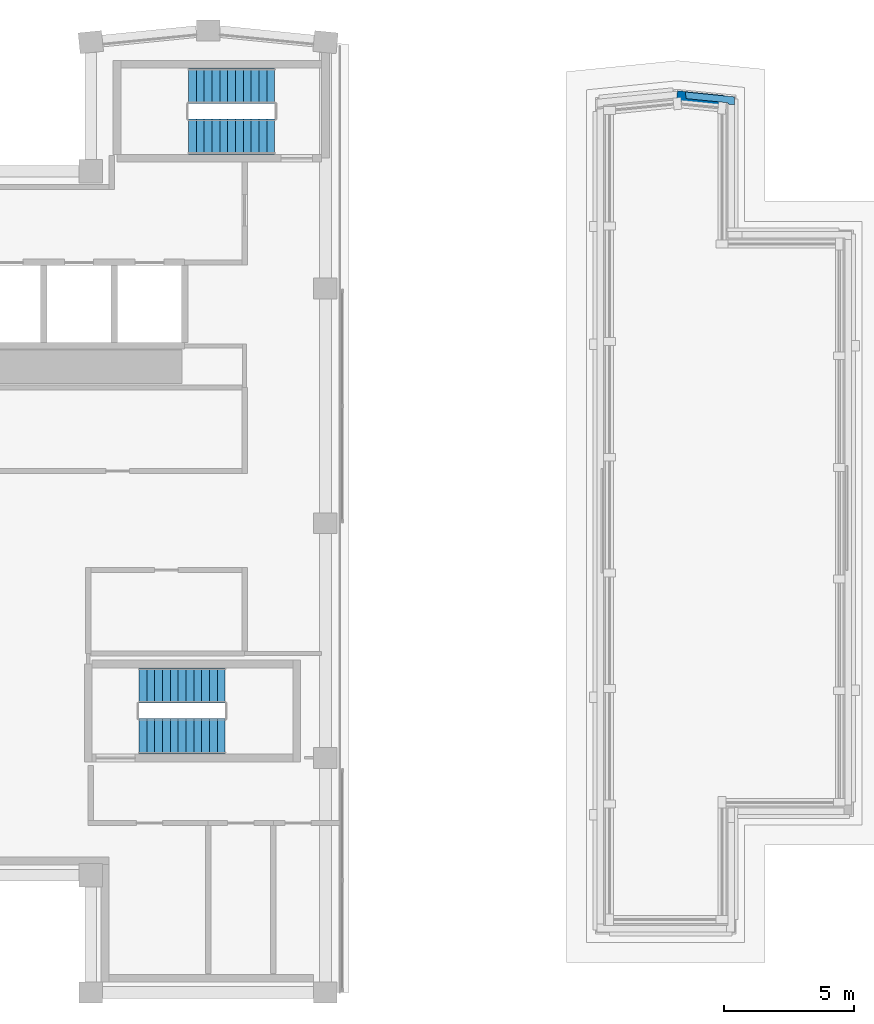
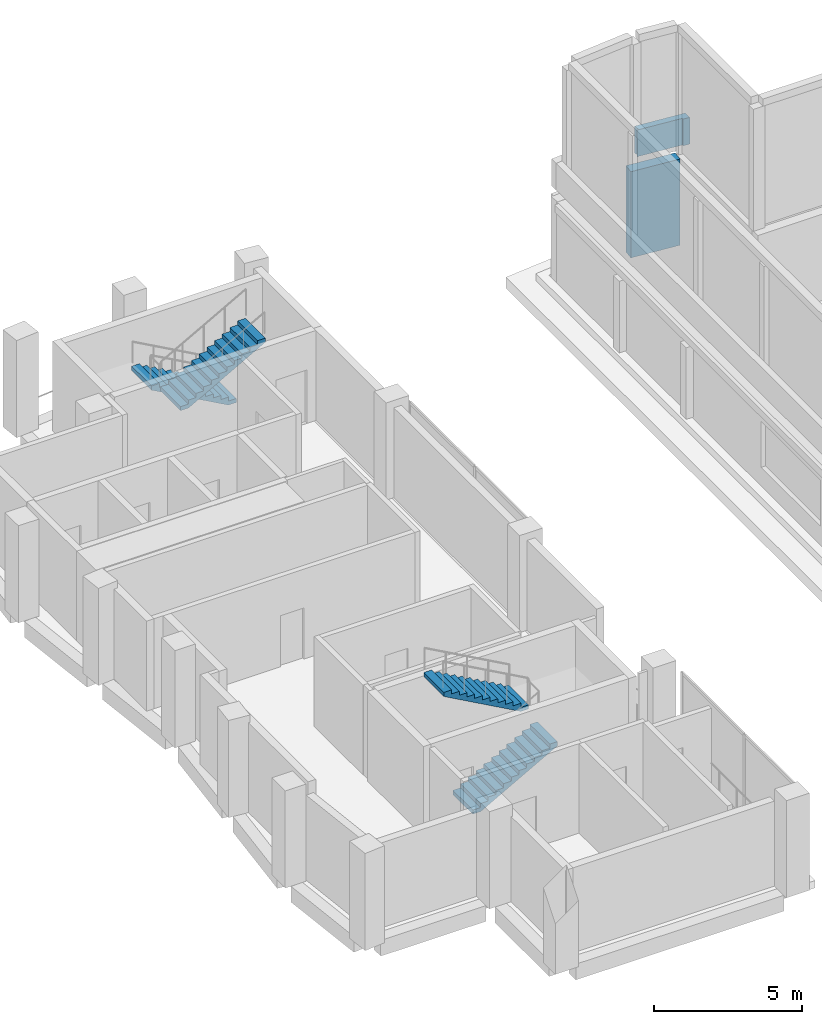
# One storey, part 6 of 8: 4 stair flights, 2 walls, 2 elements without a shape of their own.
"""IFC4 building model written with IfcOpenShell, lengths in metres."""

import ifcopenshell
import ifcopenshell.guid

model = None  # the IFC model being written
_history = None  # IfcOwnerHistory: only IFC2X3 demands one
_inside = {}  # id of a spatial element -> (the spatial element, [elements in it])
_under = {}  # id of a project, library or spatial element -> (it, [spatial elements below it])
_declared = {}  # id of a project -> (the project, [libraries it declares])
_typed = {}  # id of a type object -> (the type object, [elements of that type])
_made_of = {}  # id of a material, layer set ... -> (it, [elements and type objects made of it])


def new_model(schema):
    """Start an empty IFC model of exactly this schema.

    Asked for "IFC4X3", IfcOpenShell would pick the latest addendum, in which some entities
    have other attributes; the version numbers below select the first issue.
    IFC2X3 requires an IfcOwnerHistory on every rooted entity: one is made here for all.
    """
    global model, _history
    if schema == "IFC4X3":
        model = ifcopenshell.file(schema_version=(4, 3, 0, 0))
    else:
        model = ifcopenshell.file(schema=schema)
    _inside.clear()
    _under.clear()
    _declared.clear()
    _typed.clear()
    _made_of.clear()
    _history = None
    if model.schema == "IFC2X3":
        org = make("IfcOrganization", Name="unknown")
        user = make(
            "IfcPersonAndOrganization",
            ThePerson=make("IfcPerson", FamilyName="unknown"),
            TheOrganization=org,
        )
        app = make(
            "IfcApplication",
            ApplicationDeveloper=org,
            Version="unknown",
            ApplicationFullName="unknown",
            ApplicationIdentifier="unknown",
        )
        _history = make(
            "IfcOwnerHistory",
            OwningUser=user,
            OwningApplication=app,
            ChangeAction="ADDED",
            CreationDate=0,
        )
    return model


def make(cls, **values):
    """One entity of the class cls with the attributes given. An attribute that is None is left unset."""
    return model.create_entity(
        cls, **{name: value for name, value in values.items() if value is not None}
    )


def rooted(cls, **values):
    """An entity with a GlobalId (a new one), such as an element, a storey or a relation."""
    return make(cls, GlobalId=ifcopenshell.guid.new(), OwnerHistory=_history, **values)


def si_unit(unit_type, name, prefix=None):
    """IfcSIUnit, for example si_unit("LENGTHUNIT", "METRE", prefix="MILLI")."""
    return make("IfcSIUnit", UnitType=unit_type, Prefix=prefix, Name=name)


def assignment(units):
    """IfcUnitAssignment: the units of a project."""
    return None if units is None else make("IfcUnitAssignment", Units=units)


def point(xyz):
    """IfcCartesianPoint."""
    return None if xyz is None else make("IfcCartesianPoint", Coordinates=xyz)


def direction(xyz):
    """IfcDirection."""
    return None if xyz is None else make("IfcDirection", DirectionRatios=xyz)


def frame(location, z_axis=None, x_axis=None):
    """IfcAxis2Placement3D, a coordinate frame: its origin and axes. An axis left out is left unset."""
    return make(
        "IfcAxis2Placement3D",
        Location=point(location),
        Axis=direction(z_axis),
        RefDirection=direction(x_axis),
    )


def frame_2d(location, x_axis=None):
    """IfcAxis2Placement2D, a coordinate frame in the plane: its origin and x axis."""
    return make(
        "IfcAxis2Placement2D", Location=point(location), RefDirection=direction(x_axis)
    )


def origin():
    """The frame at (0, 0, 0) with its axes left unset."""
    return frame((0.0, 0.0, 0.0))


def place(relative_to, where):
    """IfcLocalPlacement: puts the frame where relative to a parent placement (None: the world)."""
    return make(
        "IfcLocalPlacement", PlacementRelTo=relative_to, RelativePlacement=where
    )


def context(
    kind, dimensions, precision=None, world=None, true_north=None, identifier=None
):
    """IfcGeometricRepresentationContext, for example the 3D "Model" context."""
    return make(
        "IfcGeometricRepresentationContext",
        ContextIdentifier=identifier,
        ContextType=kind,
        CoordinateSpaceDimension=dimensions,
        Precision=precision,
        WorldCoordinateSystem=world,
        TrueNorth=true_north,
    )


def subcontext(parent, identifier, kind, view, scale=None):
    """IfcGeometricRepresentationSubContext, for example "Body" below "Model"."""
    return make(
        "IfcGeometricRepresentationSubContext",
        ContextIdentifier=identifier,
        ContextType=kind,
        ParentContext=parent,
        TargetScale=scale,
        TargetView=view,
    )


def project(units=None, contexts=None):
    """IfcProject with its units and contexts."""
    return rooted(
        "IfcProject",
        Name="project",
        RepresentationContexts=contexts,
        UnitsInContext=assignment(units),
    )


def spatial(cls, under=None, at=None, **own):
    """A site, building, storey or space (cls), placed at a placement, below another one or the project."""
    s = rooted(cls, ObjectPlacement=at, **own)
    if under is not None:
        _under.setdefault(under.id(), (under, []))[1].append(s)
    return s


def polyline(points):
    """IfcPolyline through the points."""
    return make("IfcPolyline", Points=[point(p) for p in points])


def profile(cls, at=None, kind="AREA", **sizes):
    """A parametric profile (cls). Its sizes go by their IFC names, for example OverallWidth=200.0."""
    return make(cls, ProfileType=kind, Position=at, **sizes)


def rectangle(**sizes):
    """IfcRectangleProfileDef."""
    return profile("IfcRectangleProfileDef", **sizes)


def outline(outer, holes=None, kind="AREA"):
    """IfcArbitraryClosedProfileDef: a profile drawn as a closed curve; with holes, ...WithVoids."""
    if holes is None:
        return make("IfcArbitraryClosedProfileDef", ProfileType=kind, OuterCurve=outer)
    return make(
        "IfcArbitraryProfileDefWithVoids",
        ProfileType=kind,
        OuterCurve=outer,
        InnerCurves=holes,
    )


def extrude(swept, where, along, depth):
    """IfcExtrudedAreaSolid: the profile swept, set in the frame where, extruded along a direction by depth."""
    return make(
        "IfcExtrudedAreaSolid",
        SweptArea=swept,
        Position=where,
        ExtrudedDirection=direction(along),
        Depth=depth,
    )


def shape(context_of_items, identifier, shape_type, items):
    """IfcShapeRepresentation: the items that make up one representation, for example the "Body"."""
    return make(
        "IfcShapeRepresentation",
        ContextOfItems=context_of_items,
        RepresentationIdentifier=identifier,
        RepresentationType=shape_type,
        Items=items,
    )


def material(Name=None, Category=None):
    """IfcMaterial."""
    return make("IfcMaterial", Name=Name, Category=Category)


def layer(
    of_material, thickness, ventilated=None, Name=None, Category=None, Priority=None
):
    """IfcMaterialLayer: one layer of a wall or slab, of a material (None: an air gap)."""
    return make(
        "IfcMaterialLayer",
        Material=of_material,
        LayerThickness=thickness,
        IsVentilated=ventilated,
        Name=Name,
        Category=Category,
        Priority=Priority,
    )


def layer_set(layers, Name=None):
    """IfcMaterialLayerSet."""
    return make("IfcMaterialLayerSet", MaterialLayers=layers, LayerSetName=Name)


def made_of(thing, what):
    """Note that an element or type object is made of a material, layer set ...; save() writes the relation."""
    if what is not None:
        _made_of.setdefault(what.id(), (what, []))[1].append(thing)
    return thing


def type_object(cls, material=None, **own):
    """A type object (cls), such as IfcWallType, which elements share."""
    return made_of(rooted(cls, **own), material)


def element(
    cls,
    number,
    at=None,
    inside=None,
    cuts=None,
    type_object=None,
    material=None,
    context=None,
    identifier="Body",
    shape_type=None,
    held_by="IfcProductDefinitionShape",
    body=None,
    shapes=None,
    **own,
):
    """One element of the class cls, such as IfcWall. Its Tag is "e" and its number.

    at: its placement. inside: the storey or other place that contains it. cuts: it is an
    opening in that element (IfcRelVoidsElement). A single representation is given by context,
    identifier, shape_type and body (its items); several are given by shapes. held_by: the class
    of the entity that holds the representations. save() writes the other relations.
    """
    e = rooted(cls, Tag="e%d" % number, ObjectPlacement=at, **own)
    if body is not None:
        shapes = [shape(context, identifier, shape_type, body)]
    if shapes is not None:
        e.Representation = make(held_by, Representations=shapes)
    if inside is not None:
        _inside.setdefault(inside.id(), (inside, []))[1].append(e)
    if cuts is not None:
        rooted(
            "IfcRelVoidsElement", RelatingBuildingElement=cuts, RelatedOpeningElement=e
        )
    if type_object is not None:
        _typed.setdefault(type_object.id(), (type_object, []))[1].append(e)
    return made_of(e, material)


def aggregate(whole, parts):
    """IfcRelAggregates: a whole, such as a stair, and the parts it consists of."""
    return rooted("IfcRelAggregates", RelatingObject=whole, RelatedObjects=parts)


def save(model, path):
    """Write the relations noted so far, then the file.

    IfcRelAggregates (storeys below a building ...), IfcRelContainedInSpatialStructure (elements
    in a storey), IfcRelDefinesByType, IfcRelAssociatesMaterial and IfcRelDeclares: one each for
    every whole, place, type object, material and project.
    """
    for whole, parts in _under.values():
        aggregate(whole, parts)
    for where, things in _inside.values():
        rooted(
            "IfcRelContainedInSpatialStructure",
            RelatedElements=things,
            RelatingStructure=where,
        )
    for kind, things in _typed.values():
        rooted("IfcRelDefinesByType", RelatedObjects=things, RelatingType=kind)
    for what, things in _made_of.values():
        rooted("IfcRelAssociatesMaterial", RelatedObjects=things, RelatingMaterial=what)
    for by, libraries in _declared.values():
        rooted("IfcRelDeclares", RelatingContext=by, RelatedDefinitions=libraries)
    model.write(path)


model = new_model("IFC4")

# Units and contexts
model_context = context("Model", 3, precision=1e-05, world=origin(), true_north=direction((0.0, 1.0)))
body_context = subcontext(model_context, "Body", "Model", "MODEL_VIEW")
ifc_project = project(units=[si_unit("LENGTHUNIT", "METRE"), si_unit("AREAUNIT", "SQUARE_METRE"), si_unit("VOLUMEUNIT", "CUBIC_METRE"), si_unit("PLANEANGLEUNIT", "RADIAN"), si_unit("MASSUNIT", "GRAM", prefix="KILO")], contexts=[model_context])

# Site, building, storey
site_placement = place(None, origin())
site = spatial("IfcSite", under=ifc_project, at=site_placement, CompositionType="ELEMENT")
building_placement = place(site_placement, origin())
building = spatial("IfcBuilding", under=site, at=building_placement, Name="Brondeck Convention Tower", CompositionType="ELEMENT")
storey_placement = place(building_placement, frame((0.0, 0.0, 302.800048828125)))
storey = spatial("IfcBuildingStorey", under=building, at=storey_placement, Name="L75", CompositionType="ELEMENT", Elevation=302.800048828125)

# Walls
ifc_material_1 = material(Name="Precast concrete C50/60 bronze finish", Category="concrete")
ifc_layer_1 = layer(ifc_material_1, 0.39990234375)
ifc_layer_set_1 = layer_set([ifc_layer_1], Name="Crown tier wall, precast concrete C50/60")
wall_type_1 = type_object("IfcWallType", Name="Crown tier wall, precast concrete C50/60", PredefinedType="SOLIDWALL", material=ifc_layer_set_1)
wall_1_placement = place(storey_placement, frame((26.97998046875, 61.389404296875, 0.5), z_axis=(0.0, 0.0, 1.0), x_axis=(0.995042489797, -0.099450708894, 0.0)))
element("IfcWall", 1, at=wall_1_placement, inside=storey, type_object=wall_type_1, Name="ENV-CT-K2-T2-W07", PredefinedType="SOLIDWALL", context=body_context, shape_type="SweptSolid", body=[
    extrude(rectangle(XDim=1.823974609375, YDim=0.39990234375, at=frame_2d((0.912109375, 0.0))), origin(), (0.0, 0.0, 1.0), 3.550048828125),
])
ifc_material_2 = material(Name="Precast concrete C50/60", Category="concrete")
ifc_layer_2 = layer(ifc_material_2, 0.25)
ifc_layer_set_2 = layer_set([ifc_layer_2], Name="Roof parapet, precast concrete C50/60")
wall_type_2 = type_object("IfcWallType", Name="Roof parapet, precast concrete C50/60", PredefinedType="PARAPET", material=ifc_layer_set_2)
wall_2_placement = place(storey_placement, frame((0.0, 0.0, 4.5)))
element("IfcWall", 2, at=wall_2_placement, inside=storey, type_object=wall_type_2, Name="ENV-CT-K2-T2-PA02", PredefinedType="PARAPET", context=body_context, shape_type="SweptSolid", body=[
    extrude(outline(polyline([(28.929931640625, 61.124267578125), (28.929931640625, 61.073974609375), (29.179931640625, 61.048828125), (29.179931640625, 61.350341796875), (27.3056640625, 61.537841796875), (27.329345703125, 61.2998046875), (27.329345703125, 61.2998046875), (27.329345703125, 61.2998046875), (27.329345703125, 61.299560546875), (27.329345703125, 61.299560546875), (27.329345703125, 61.29931640625), (27.3291015625, 61.29931640625), (27.3291015625, 61.29931640625), (27.3291015625, 61.299072265625), (27.3291015625, 61.299072265625), (27.3291015625, 61.299072265625), (27.328857421875, 61.298828125), (27.328857421875, 61.298828125), (27.32861328125, 61.298828125), (27.32861328125, 61.298828125), (27.32861328125, 61.298828125), (27.32861328125, 61.298828125), (27.25634765625, 61.29150390625), (28.929931640625, 61.124267578125)])), origin(), (0.0, 0.0, 1.0), 1.099853515625),
])

# Stair, stair flights
stair_type = type_object("IfcStairType", Name="Core stair 24 risers 166.67 mm riser 300 mm going 1350 wide", PredefinedType="HALF_TURN_STAIR", material=ifc_material_2)
stair_1_placement = place(storey_placement, origin())
stair_1 = element("IfcStair", 3, at=stair_1_placement, inside=storey, type_object=stair_type, Name="ST-1 L75 stair", PredefinedType="HALF_TURN_STAIR")
stair_flight_type = type_object("IfcStairFlightType", Name="Core stair flight 24 risers 166.67 mm riser 300 mm going 1350 wide", PredefinedType="STRAIGHT", material=ifc_material_2)
stair_flight_1_placement = place(storey_placement, frame((6.35009765625, 36.824951171875, 0.0), z_axis=(0.0, 0.0, 1.0), x_axis=(1.0, 0.0, 0.0)))
stair_flight_1 = element("IfcStairFlight", 4, at=stair_flight_1_placement, type_object=stair_flight_type, Name="ST-1 flight 1", NumberOfRisers=12, NumberOfTreads=11, PredefinedType="STRAIGHT", RiserHeight=0.166666667, TreadLength=0.3, context=body_context, shape_type="SweptSolid", body=[
    extrude(outline(polyline([(0.0, 0.0), (0.0, 0.166748046875), (0.300048828125, 0.166748046875), (0.300048828125, 0.333251953125), (0.60009765625, 0.333251953125), (0.60009765625, 0.5), (0.89990234375, 0.5), (0.89990234375, 0.666748046875), (1.199951171875, 0.666748046875), (1.199951171875, 0.833251953125), (1.5, 0.833251953125), (1.5, 1.0), (1.800048828125, 1.0), (1.800048828125, 1.166748046875), (2.10009765625, 1.166748046875), (2.10009765625, 1.333251953125), (2.39990234375, 1.333251953125), (2.39990234375, 1.5), (2.699951171875, 1.5), (2.699951171875, 1.666748046875), (3.0, 1.666748046875), (3.0, 1.833251953125), (3.300048828125, 1.833251953125), (3.300048828125, 2.0), (3.300048828125, 1.661865234375), (0.30859375, 0.0), (0.0, 0.0)])), frame((0.0, 0.675048828125, 0.0), z_axis=(0.0, -1.0, 0.0), x_axis=(1.0, 0.0, 0.0)), (0.0, 0.0, 1.0), 1.35009765625),
])
stair_flight_2_placement = place(storey_placement, frame((9.64990234375, 38.77490234375, 2.0), z_axis=(0.0, 0.0, 1.0), x_axis=(-1.0, 0.0, 0.0)))
stair_flight_2 = element("IfcStairFlight", 5, at=stair_flight_2_placement, type_object=stair_flight_type, Name="ST-1 flight 2", NumberOfRisers=12, NumberOfTreads=11, PredefinedType="STRAIGHT", RiserHeight=0.166666667, TreadLength=0.3, context=body_context, shape_type="SweptSolid", body=[
    extrude(outline(polyline([(0.0, 0.0), (0.0, 0.166748046875), (0.300048828125, 0.166748046875), (0.300048828125, 0.333251953125), (0.60009765625, 0.333251953125), (0.60009765625, 0.5), (0.89990234375, 0.5), (0.89990234375, 0.666748046875), (1.199951171875, 0.666748046875), (1.199951171875, 0.833251953125), (1.5, 0.833251953125), (1.5, 1.0), (1.800048828125, 1.0), (1.800048828125, 1.166748046875), (2.10009765625, 1.166748046875), (2.10009765625, 1.333251953125), (2.39990234375, 1.333251953125), (2.39990234375, 1.5), (2.699951171875, 1.5), (2.699951171875, 1.666748046875), (3.0, 1.666748046875), (3.0, 1.833251953125), (3.300048828125, 1.833251953125), (3.300048828125, 2.0), (3.300048828125, 1.661865234375), (0.30859375, 0.0), (0.0, 0.0)])), frame((0.0, 0.675048828125, 0.0), z_axis=(0.0, -1.0, 0.0), x_axis=(1.0, 0.0, 0.0)), (0.0, 0.0, 1.0), 1.35009765625),
])
aggregate(stair_1, [stair_flight_1, stair_flight_2])

stair_2_placement = place(storey_placement, origin())
stair_2 = element("IfcStair", 6, at=stair_2_placement, inside=storey, type_object=stair_type, Name="ST-3 L75 stair", PredefinedType="HALF_TURN_STAIR")
stair_flight_3_placement = place(storey_placement, frame((11.550048828125, 61.77490234375, 0.0), z_axis=(0.0, 0.0, 1.0), x_axis=(-1.0, 0.0, 0.0)))
stair_flight_3 = element("IfcStairFlight", 7, at=stair_flight_3_placement, type_object=stair_flight_type, Name="ST-3 flight 1", NumberOfRisers=12, NumberOfTreads=11, PredefinedType="STRAIGHT", RiserHeight=0.166666667, TreadLength=0.3, context=body_context, shape_type="SweptSolid", body=[
    extrude(outline(polyline([(0.0, 0.0), (0.0, 0.166748046875), (0.300048828125, 0.166748046875), (0.300048828125, 0.333251953125), (0.60009765625, 0.333251953125), (0.60009765625, 0.5), (0.89990234375, 0.5), (0.89990234375, 0.666748046875), (1.199951171875, 0.666748046875), (1.199951171875, 0.833251953125), (1.5, 0.833251953125), (1.5, 1.0), (1.800048828125, 1.0), (1.800048828125, 1.166748046875), (2.10009765625, 1.166748046875), (2.10009765625, 1.333251953125), (2.39990234375, 1.333251953125), (2.39990234375, 1.5), (2.699951171875, 1.5), (2.699951171875, 1.666748046875), (3.0, 1.666748046875), (3.0, 1.833251953125), (3.300048828125, 1.833251953125), (3.300048828125, 2.0), (3.300048828125, 1.661865234375), (0.30859375, 0.0), (0.0, 0.0)])), frame((0.0, 0.675048828125, 0.0), z_axis=(0.0, -1.0, 0.0), x_axis=(1.0, 0.0, 0.0)), (0.0, 0.0, 1.0), 1.35009765625),
])
stair_flight_4_placement = place(storey_placement, frame((8.25, 59.824951171875, 2.0), z_axis=(0.0, 0.0, 1.0), x_axis=(1.0, 0.0, 0.0)))
stair_flight_4 = element("IfcStairFlight", 8, at=stair_flight_4_placement, type_object=stair_flight_type, Name="ST-3 flight 2", NumberOfRisers=12, NumberOfTreads=11, PredefinedType="STRAIGHT", RiserHeight=0.166666667, TreadLength=0.3, context=body_context, shape_type="SweptSolid", body=[
    extrude(outline(polyline([(0.0, 0.0), (0.0, 0.166748046875), (0.300048828125, 0.166748046875), (0.300048828125, 0.333251953125), (0.60009765625, 0.333251953125), (0.60009765625, 0.5), (0.89990234375, 0.5), (0.89990234375, 0.666748046875), (1.199951171875, 0.666748046875), (1.199951171875, 0.833251953125), (1.5, 0.833251953125), (1.5, 1.0), (1.800048828125, 1.0), (1.800048828125, 1.166748046875), (2.10009765625, 1.166748046875), (2.10009765625, 1.333251953125), (2.39990234375, 1.333251953125), (2.39990234375, 1.5), (2.699951171875, 1.5), (2.699951171875, 1.666748046875), (3.0, 1.666748046875), (3.0, 1.833251953125), (3.300048828125, 1.833251953125), (3.300048828125, 2.0), (3.300048828125, 1.661865234375), (0.30859375, 0.0), (0.0, 0.0)])), frame((0.0, 0.675048828125, 0.0), z_axis=(0.0, -1.0, 0.0), x_axis=(1.0, 0.0, 0.0)), (0.0, 0.0, 1.0), 1.35009765625),
])
aggregate(stair_2, [stair_flight_3, stair_flight_4])

save(model, "model.ifc")
